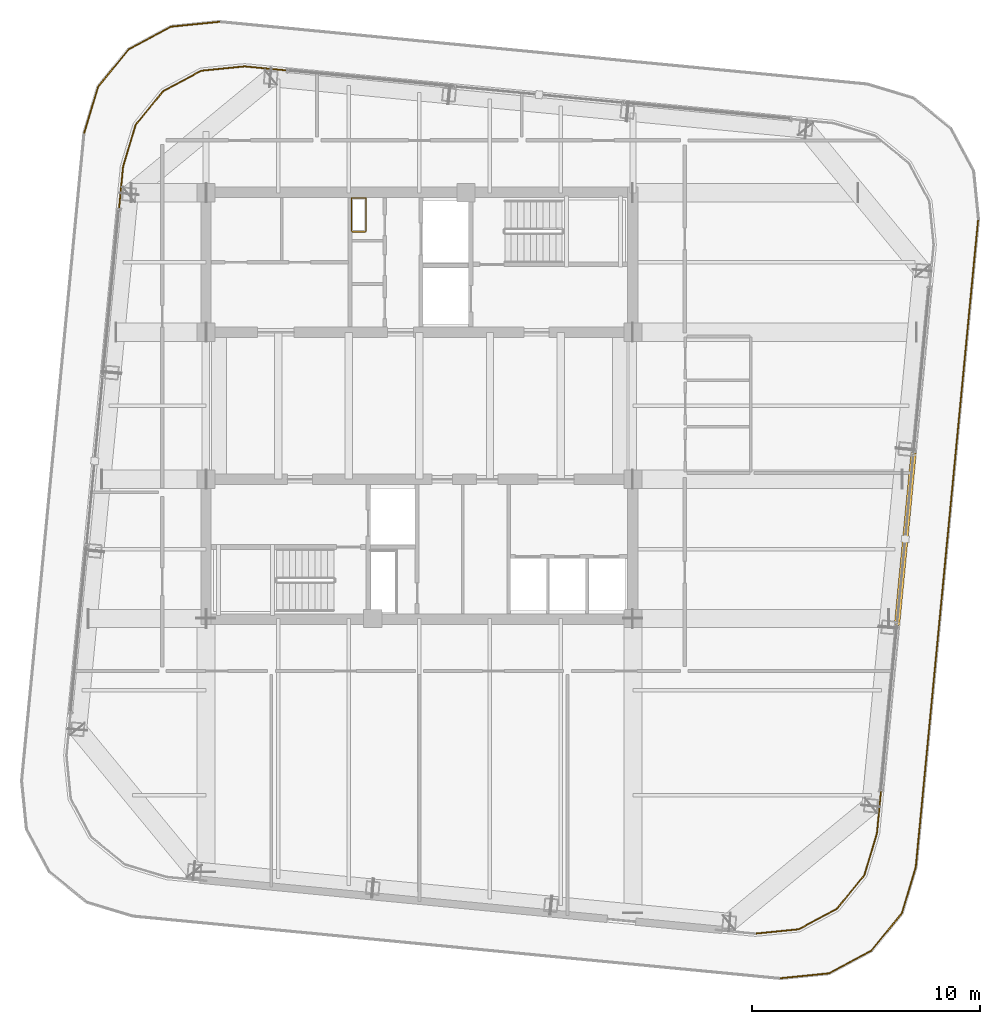
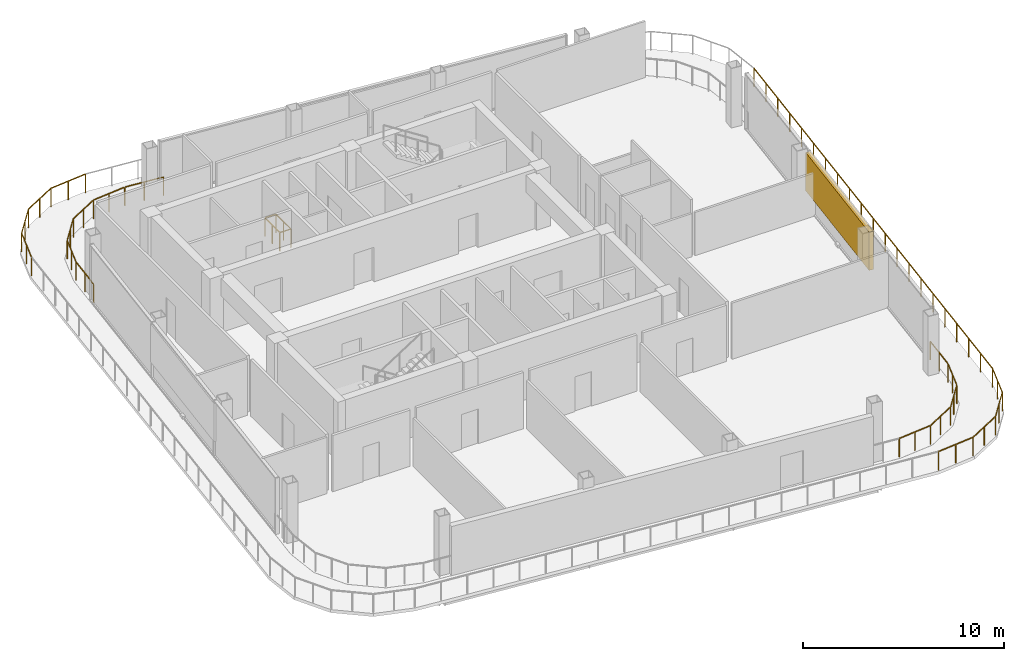
# One storey, part 18 of 20: 12 railings, 1 shading device.
"""IFC4 building model written with IfcOpenShell, lengths in metres."""

from ifc_helpers import new_model, si_unit, direction, frame, origin, origin_2d, place, context, subcontext, project, spatial, rectangle, extrude, material, type_object, element, save


model = new_model("IFC4")

# Units and contexts
model_context = context("Model", 3, precision=1e-05, world=origin(), true_north=direction((0.0, 1.0)))
body_context = subcontext(model_context, "Body", "Model", "MODEL_VIEW")
ifc_project = project(units=[si_unit("LENGTHUNIT", "METRE"), si_unit("AREAUNIT", "SQUARE_METRE"), si_unit("VOLUMEUNIT", "CUBIC_METRE"), si_unit("PLANEANGLEUNIT", "RADIAN"), si_unit("MASSUNIT", "GRAM", prefix="KILO")], contexts=[model_context])

# Site, building, storey
site_placement = place(None, origin())
site = spatial("IfcSite", under=ifc_project, at=site_placement, CompositionType="ELEMENT")
building_placement = place(site_placement, origin())
building = spatial("IfcBuilding", under=site, at=building_placement, Name="Qhalaya Broadcast Tower", CompositionType="ELEMENT")
storey_placement = place(building_placement, frame((0.0, 0.0, 273.35009765625)))
storey = spatial("IfcBuildingStorey", under=building, at=storey_placement, Name="L81", CompositionType="ELEMENT", Elevation=273.35009765625)

# Railings
ifc_material_1 = material(Name="Powder-Coated Galvanised Steel", Category="steel")
railing_type_1 = type_object("IfcRailingType", Name="Stair Well & Landing Guardrail 1100", PredefinedType="GUARDRAIL", material=ifc_material_1)
railing_1_placement = place(storey_placement, frame((-2.340087890625, 8.239990234375, 0.0)))
element("IfcRailing", 1, at=railing_1_placement, inside=storey, type_object=railing_type_1, Name="L81 Service Riser Opening Safety Guard NRSR", PredefinedType="GUARDRAIL", context=body_context, shape_type="SweptSolid", body=[
    extrude(rectangle(XDim=0.048095703125, YDim=0.048095703125, at=origin_2d()), frame((0.0, 0.02880859375, 1.1259765625), z_axis=(0.0, 1.0, 0.0), x_axis=(-1.0, 0.0, 0.0)), (0.0, 0.0, 1.0), 1.42236328125),
    extrude(rectangle(XDim=0.048095703125, YDim=0.048095703125, at=origin_2d()), frame((-0.02880859375, 1.47998046875, 1.1259765625), z_axis=(-1.0, 0.0, 0.0), x_axis=(0.0, -1.0, 0.0)), (0.0, 0.0, 1.0), 0.582275390625),
    extrude(rectangle(XDim=0.048095703125, YDim=0.048095703125, at=origin_2d()), frame((-0.639892578125, 1.451171875, 1.1259765625), z_axis=(0.0, -1.0, 0.0), x_axis=(1.0, 0.0, 0.0)), (0.0, 0.0, 1.0), 1.42236328125),
    extrude(rectangle(XDim=0.048095703125, YDim=0.048095703125, at=origin_2d()), frame((-0.611083984375, 0.0, 1.1259765625), z_axis=(1.0, 0.0, 0.0), x_axis=(0.0, 1.0, 0.0)), (0.0, 0.0, 1.0), 0.582275390625),
    extrude(rectangle(XDim=0.0419921875, YDim=0.0419921875, at=origin_2d()), origin(), (0.0, 0.0, 1.0), 1.099853515625),
    extrude(rectangle(XDim=0.0419921875, YDim=0.0419921875, at=origin_2d()), frame((0.0, 0.739990234375, 0.0)), (0.0, 0.0, 1.0), 1.099853515625),
    extrude(rectangle(XDim=0.0419921875, YDim=0.0419921875, at=origin_2d()), frame((0.0, 1.47998046875, 0.0)), (0.0, 0.0, 1.0), 1.099853515625),
    extrude(rectangle(XDim=0.0419921875, YDim=0.0419921875, at=origin_2d()), frame((-0.639892578125, 1.47998046875, 0.0)), (0.0, 0.0, 1.0), 1.099853515625),
    extrude(rectangle(XDim=0.0419921875, YDim=0.0419921875, at=origin_2d()), frame((-0.639892578125, 0.739990234375, 0.0)), (0.0, 0.0, 1.0), 1.099853515625),
    extrude(rectangle(XDim=0.0419921875, YDim=0.0419921875, at=origin_2d()), frame((-0.639892578125, 0.0, 0.0)), (0.0, 0.0, 1.0), 1.099853515625),
])
railing_type_2 = type_object("IfcRailingType", Name="Terrace, Sky-Pool & Lookout Glass Balustrade 1150", PredefinedType="BALUSTRADE", material=ifc_material_1)
railing_2_placement = place(storey_placement, frame((-14.719482421875, 12.576416015625, 0.0)))
element("IfcRailing", 2, at=railing_2_placement, inside=storey, type_object=railing_type_2, Name="L81 Perimeter Safety Balustrade BAL-TER1-07", PredefinedType="BALUSTRADE", context=body_context, shape_type="SweptSolid", body=[
    extrude(rectangle(XDim=0.048095703125, YDim=0.048095703125, at=origin_2d()), frame((0.0, 0.0, 1.1259765625), z_axis=(0.288170989429, 0.957578968467, 0.0), x_axis=(-0.957578968467, 0.288170989429, 0.0)), (0.0, 0.0, 1.0), 2.122314453125),
    extrude(rectangle(XDim=0.0419921875, YDim=0.0419921875, at=origin_2d()), origin(), (0.0, 0.0, 1.0), 1.099853515625),
    extrude(rectangle(XDim=0.0419921875, YDim=0.0419921875, at=origin_2d()), frame((0.3056640625, 1.01611328125, 0.0)), (0.0, 0.0, 1.0), 1.099853515625),
    extrude(rectangle(XDim=0.0419921875, YDim=0.0419921875, at=origin_2d()), frame((0.611572265625, 2.0322265625, 0.0)), (0.0, 0.0, 1.0), 1.099853515625),
])
railing_3_placement = place(storey_placement, frame((-14.10791015625, 14.608642578125, 0.0)))
element("IfcRailing", 3, at=railing_3_placement, inside=storey, type_object=railing_type_2, Name="L81 Perimeter Safety Balustrade BAL-TER1-08", PredefinedType="BALUSTRADE", context=body_context, shape_type="SweptSolid", body=[
    extrude(rectangle(XDim=0.048095703125, YDim=0.048095703125, at=origin_2d()), frame((0.0, 0.0, 1.1259765625), z_axis=(0.63277236839, 0.774337865406, 0.0), x_axis=(-0.774337865406, 0.63277236839, 0.0)), (0.0, 0.0, 1.0), 2.1142578125),
    extrude(rectangle(XDim=0.0419921875, YDim=0.0419921875, at=origin_2d()), origin(), (0.0, 0.0, 1.0), 1.099853515625),
    extrude(rectangle(XDim=0.0419921875, YDim=0.0419921875, at=origin_2d()), frame((0.6689453125, 0.818603515625, 0.0)), (0.0, 0.0, 1.0), 1.099853515625),
    extrude(rectangle(XDim=0.0419921875, YDim=0.0419921875, at=origin_2d()), frame((1.337890625, 1.63720703125, 0.0)), (0.0, 0.0, 1.0), 1.099853515625),
])
railing_4_placement = place(storey_placement, frame((-12.77001953125, 16.245849609375, 0.0)))
element("IfcRailing", 4, at=railing_4_placement, inside=storey, type_object=railing_type_2, Name="L81 Perimeter Safety Balustrade BAL-TER1-09", PredefinedType="BALUSTRADE", context=body_context, shape_type="SweptSolid", body=[
    extrude(rectangle(XDim=0.048095703125, YDim=0.048095703125, at=origin_2d()), frame((0.0, 0.0, 1.1259765625), z_axis=(0.880923105404, 0.473259423957, 0.0), x_axis=(-0.473259423957, 0.880923105404, 0.0)), (0.0, 0.0, 1.0), 2.114013671875),
    extrude(rectangle(XDim=0.0419921875, YDim=0.0419921875, at=origin_2d()), origin(), (0.0, 0.0, 1.0), 1.099853515625),
    extrude(rectangle(XDim=0.0419921875, YDim=0.0419921875, at=origin_2d()), frame((0.93115234375, 0.500244140625, 0.0)), (0.0, 0.0, 1.0), 1.099853515625),
    extrude(rectangle(XDim=0.0419921875, YDim=0.0419921875, at=origin_2d()), frame((1.8623046875, 1.00048828125, 0.0)), (0.0, 0.0, 1.0), 1.099853515625),
])
railing_5_placement = place(storey_placement, frame((-10.90771484375, 17.246337890625, 0.0)))
element("IfcRailing", 5, at=railing_5_placement, inside=storey, type_object=railing_type_2, Name="L81 Perimeter Safety Balustrade BAL-TER1-10", PredefinedType="BALUSTRADE", context=body_context, shape_type="SweptSolid", body=[
    extrude(rectangle(XDim=0.048095703125, YDim=0.048095703125, at=origin_2d()), frame((0.0, 0.0, 1.1259765625), z_axis=(0.99496746898, 0.100198481383, 0.0), x_axis=(-0.100198481383, 0.99496746898, 0.0)), (0.0, 0.0, 1.0), 2.122314453125),
    extrude(rectangle(XDim=0.0419921875, YDim=0.0419921875, at=origin_2d()), origin(), (0.0, 0.0, 1.0), 1.099853515625),
    extrude(rectangle(XDim=0.0419921875, YDim=0.0419921875, at=origin_2d()), frame((1.0556640625, 0.1064453125, 0.0)), (0.0, 0.0, 1.0), 1.099853515625),
    extrude(rectangle(XDim=0.0419921875, YDim=0.0419921875, at=origin_2d()), frame((2.111572265625, 0.212646484375, 0.0)), (0.0, 0.0, 1.0), 1.099853515625),
])
railing_6_placement = place(storey_placement, frame((24.5390625, 8.796142578125, 0.0)))
element("IfcRailing", 6, at=railing_6_placement, inside=storey, type_object=railing_type_2, Name="L81 Perimeter Safety Balustrade BAL-TER1-16", PredefinedType="BALUSTRADE", context=body_context, shape_type="SweptSolid", body=[
    extrude(rectangle(XDim=0.048095703125, YDim=0.048095703125, at=origin_2d()), frame((0.0, 0.0, 1.1259765625), z_axis=(-0.095848136823, -0.995395968782, 0.0), x_axis=(0.995395968782, -0.095848136823, 0.0)), (0.0, 0.0, 1.0), 28.584228515625),
    extrude(rectangle(XDim=0.0419921875, YDim=0.0419921875, at=origin_2d()), origin(), (0.0, 0.0, 1.0), 1.099853515625),
    extrude(rectangle(XDim=0.0419921875, YDim=0.0419921875, at=origin_2d()), frame((-0.136962890625, -1.422607421875, 0.0)), (0.0, 0.0, 1.0), 1.099853515625),
    extrude(rectangle(XDim=0.0419921875, YDim=0.0419921875, at=origin_2d()), frame((-0.27392578125, -2.84521484375, 0.0)), (0.0, 0.0, 1.0), 1.099853515625),
    extrude(rectangle(XDim=0.0419921875, YDim=0.0419921875, at=origin_2d()), frame((-0.410888671875, -4.267822265625, 0.0)), (0.0, 0.0, 1.0), 1.099853515625),
    extrude(rectangle(XDim=0.0419921875, YDim=0.0419921875, at=origin_2d()), frame((-0.5478515625, -5.6904296875, 0.0)), (0.0, 0.0, 1.0), 1.099853515625),
    extrude(rectangle(XDim=0.0419921875, YDim=0.0419921875, at=origin_2d()), frame((-0.68505859375, -7.11328125, 0.0)), (0.0, 0.0, 1.0), 1.099853515625),
    extrude(rectangle(XDim=0.0419921875, YDim=0.0419921875, at=origin_2d()), frame((-0.822021484375, -8.535888671875, 0.0)), (0.0, 0.0, 1.0), 1.099853515625),
    extrude(rectangle(XDim=0.0419921875, YDim=0.0419921875, at=origin_2d()), frame((-0.958984375, -9.95849609375, 0.0)), (0.0, 0.0, 1.0), 1.099853515625),
    extrude(rectangle(XDim=0.0419921875, YDim=0.0419921875, at=origin_2d()), frame((-1.095947265625, -11.381103515625, 0.0)), (0.0, 0.0, 1.0), 1.099853515625),
    extrude(rectangle(XDim=0.0419921875, YDim=0.0419921875, at=origin_2d()), frame((-1.23291015625, -12.8037109375, 0.0)), (0.0, 0.0, 1.0), 1.099853515625),
    extrude(rectangle(XDim=0.0419921875, YDim=0.0419921875, at=origin_2d()), frame((-1.369873046875, -14.226318359375, 0.0)), (0.0, 0.0, 1.0), 1.099853515625),
    extrude(rectangle(XDim=0.0419921875, YDim=0.0419921875, at=origin_2d()), frame((-1.5068359375, -15.64892578125, 0.0)), (0.0, 0.0, 1.0), 1.099853515625),
    extrude(rectangle(XDim=0.0419921875, YDim=0.0419921875, at=origin_2d()), frame((-1.643798828125, -17.071533203125, 0.0)), (0.0, 0.0, 1.0), 1.099853515625),
    extrude(rectangle(XDim=0.0419921875, YDim=0.0419921875, at=origin_2d()), frame((-1.78076171875, -18.494140625, 0.0)), (0.0, 0.0, 1.0), 1.099853515625),
    extrude(rectangle(XDim=0.0419921875, YDim=0.0419921875, at=origin_2d()), frame((-1.917724609375, -19.916748046875, 0.0)), (0.0, 0.0, 1.0), 1.099853515625),
    extrude(rectangle(XDim=0.0419921875, YDim=0.0419921875, at=origin_2d()), frame((-2.0546875, -21.33935546875, 0.0)), (0.0, 0.0, 1.0), 1.099853515625),
    extrude(rectangle(XDim=0.0419921875, YDim=0.0419921875, at=origin_2d()), frame((-2.19189453125, -22.76220703125, 0.0)), (0.0, 0.0, 1.0), 1.099853515625),
    extrude(rectangle(XDim=0.0419921875, YDim=0.0419921875, at=origin_2d()), frame((-2.328857421875, -24.184814453125, 0.0)), (0.0, 0.0, 1.0), 1.099853515625),
    extrude(rectangle(XDim=0.0419921875, YDim=0.0419921875, at=origin_2d()), frame((-2.4658203125, -25.607421875, 0.0)), (0.0, 0.0, 1.0), 1.099853515625),
    extrude(rectangle(XDim=0.0419921875, YDim=0.0419921875, at=origin_2d()), frame((-2.602783203125, -27.030029296875, 0.0)), (0.0, 0.0, 1.0), 1.099853515625),
    extrude(rectangle(XDim=0.0419921875, YDim=0.0419921875, at=origin_2d()), frame((-2.73974609375, -28.45263671875, 0.0)), (0.0, 0.0, 1.0), 1.099853515625),
])
railing_7_placement = place(storey_placement, frame((21.79931640625, -19.656494140625, 0.0)))
element("IfcRailing", 7, at=railing_7_placement, inside=storey, type_object=railing_type_2, Name="L81 Perimeter Safety Balustrade BAL-TER1-17", PredefinedType="BALUSTRADE", context=body_context, shape_type="SweptSolid", body=[
    extrude(rectangle(XDim=0.048095703125, YDim=0.048095703125, at=origin_2d()), frame((0.0, 0.0, 1.1259765625), z_axis=(-0.288170989429, -0.957578968467, 0.0), x_axis=(0.957578968467, -0.288170989429, 0.0)), (0.0, 0.0, 1.0), 2.122314453125),
    extrude(rectangle(XDim=0.0419921875, YDim=0.0419921875, at=origin_2d()), origin(), (0.0, 0.0, 1.0), 1.099853515625),
    extrude(rectangle(XDim=0.0419921875, YDim=0.0419921875, at=origin_2d()), frame((-0.3056640625, -1.01611328125, 0.0)), (0.0, 0.0, 1.0), 1.099853515625),
    extrude(rectangle(XDim=0.0419921875, YDim=0.0419921875, at=origin_2d()), frame((-0.611572265625, -2.0322265625, 0.0)), (0.0, 0.0, 1.0), 1.099853515625),
])
railing_8_placement = place(storey_placement, frame((21.187744140625, -21.688720703125, 0.0)))
element("IfcRailing", 8, at=railing_8_placement, inside=storey, type_object=railing_type_2, Name="L81 Perimeter Safety Balustrade BAL-TER1-18", PredefinedType="BALUSTRADE", context=body_context, shape_type="SweptSolid", body=[
    extrude(rectangle(XDim=0.048095703125, YDim=0.048095703125, at=origin_2d()), frame((0.0, 0.0, 1.1259765625), z_axis=(-0.632759708547, -0.774348210587, 0.0), x_axis=(0.774348210587, -0.632759708547, 0.0)), (0.0, 0.0, 1.0), 2.114013671875),
    extrude(rectangle(XDim=0.0419921875, YDim=0.0419921875, at=origin_2d()), origin(), (0.0, 0.0, 1.0), 1.099853515625),
    extrude(rectangle(XDim=0.0419921875, YDim=0.0419921875, at=origin_2d()), frame((-0.6689453125, -0.818359375, 0.0)), (0.0, 0.0, 1.0), 1.099853515625),
    extrude(rectangle(XDim=0.0419921875, YDim=0.0419921875, at=origin_2d()), frame((-1.337646484375, -1.636962890625, 0.0)), (0.0, 0.0, 1.0), 1.099853515625),
])
railing_9_placement = place(storey_placement, frame((19.85009765625, -23.32568359375, 0.0)))
element("IfcRailing", 9, at=railing_9_placement, inside=storey, type_object=railing_type_2, Name="L81 Perimeter Safety Balustrade BAL-TER1-19", PredefinedType="BALUSTRADE", context=body_context, shape_type="SweptSolid", body=[
    extrude(rectangle(XDim=0.048095703125, YDim=0.048095703125, at=origin_2d()), frame((0.0, 0.0, 1.1259765625), z_axis=(-0.880874956993, -0.473349036276, 0.0), x_axis=(0.473349036276, -0.880874956993, 0.0)), (0.0, 0.0, 1.0), 2.1142578125),
    extrude(rectangle(XDim=0.0419921875, YDim=0.0419921875, at=origin_2d()), origin(), (0.0, 0.0, 1.0), 1.099853515625),
    extrude(rectangle(XDim=0.0419921875, YDim=0.0419921875, at=origin_2d()), frame((-0.93115234375, -0.50048828125, 0.0)), (0.0, 0.0, 1.0), 1.099853515625),
    extrude(rectangle(XDim=0.0419921875, YDim=0.0419921875, at=origin_2d()), frame((-1.8623046875, -1.000732421875, 0.0)), (0.0, 0.0, 1.0), 1.099853515625),
])
railing_10_placement = place(storey_placement, frame((17.98779296875, -24.326416015625, 0.0)))
element("IfcRailing", 10, at=railing_10_placement, inside=storey, type_object=railing_type_2, Name="L81 Perimeter Safety Balustrade BAL-TER1-20", PredefinedType="BALUSTRADE", context=body_context, shape_type="SweptSolid", body=[
    extrude(rectangle(XDim=0.048095703125, YDim=0.048095703125, at=origin_2d()), frame((0.0, 0.0, 1.1259765625), z_axis=(-0.99496746898, -0.100198481383, 0.0), x_axis=(0.100198481383, -0.99496746898, 0.0)), (0.0, 0.0, 1.0), 2.122314453125),
    extrude(rectangle(XDim=0.0419921875, YDim=0.0419921875, at=origin_2d()), origin(), (0.0, 0.0, 1.0), 1.099853515625),
    extrude(rectangle(XDim=0.0419921875, YDim=0.0419921875, at=origin_2d()), frame((-1.0556640625, -0.1064453125, 0.0)), (0.0, 0.0, 1.0), 1.099853515625),
    extrude(rectangle(XDim=0.0419921875, YDim=0.0419921875, at=origin_2d()), frame((-2.111572265625, -0.212646484375, 0.0)), (0.0, 0.0, 1.0), 1.099853515625),
])
railing_11_placement = place(storey_placement, frame((-13.2158203125, 8.99365234375, 0.0)))
element("IfcRailing", 11, at=railing_11_placement, inside=storey, type_object=railing_type_2, Name="L81 Rounded Corner Perimeter Guard 03", PredefinedType="BALUSTRADE", context=body_context, shape_type="SweptSolid", body=[
    extrude(rectangle(XDim=0.048095703125, YDim=0.048095703125, at=origin_2d()), frame((0.0, 0.0, 1.1259765625), z_axis=(0.095896889673, 0.995391273094, 0.0), x_axis=(-0.995391273094, 0.095896889673, 0.0)), (0.0, 0.0, 1.0), 2.08935546875),
    extrude(rectangle(XDim=0.048095703125, YDim=0.048095703125, at=origin_2d()), frame((0.21142578125, 2.135986328125, 1.1259765625), z_axis=(0.288096282124, 0.957601447485, 0.0), x_axis=(-0.957601447485, 0.288096282124, 0.0)), (0.0, 0.0, 1.0), 1.857421875),
    extrude(rectangle(XDim=0.048095703125, YDim=0.048095703125, at=origin_2d()), frame((0.773193359375, 3.96484375, 1.1259765625), z_axis=(0.63274871945, 0.774357190213, 0.0), x_axis=(-0.774357190213, 0.63274871945, 0.0)), (0.0, 0.0, 1.0), 1.845703125),
    extrude(rectangle(XDim=0.048095703125, YDim=0.048095703125, at=origin_2d()), frame((1.984619140625, 5.429931640625, 1.1259765625), z_axis=(0.880878554058, 0.473342342286, 0.0), x_axis=(-0.473342342286, 0.880878554058, 0.0)), (0.0, 0.0, 1.0), 1.845458984375),
    extrude(rectangle(XDim=0.048095703125, YDim=0.048095703125, at=origin_2d()), frame((3.66455078125, 6.320068359375, 1.1259765625), z_axis=(0.994980230152, 0.100071682341, 0.0), x_axis=(-0.100071682341, 0.994980230152, 0.0)), (0.0, 0.0, 1.0), 1.857421875),
    extrude(rectangle(XDim=0.048095703125, YDim=0.048095703125, at=origin_2d()), frame((5.570068359375, 6.506103515625, 1.1259765625), z_axis=(0.995402268864, -0.095782687057, 0.0), x_axis=(0.095782687057, 0.995402268864, 0.0)), (0.0, 0.0, 1.0), 2.08935546875),
    extrude(rectangle(XDim=0.0419921875, YDim=0.0419921875, at=origin_2d()), origin(), (0.0, 0.0, 1.0), 1.099853515625),
    extrude(rectangle(XDim=0.0419921875, YDim=0.0419921875, at=origin_2d()), frame((0.1015625, 1.05419921875, 0.0)), (0.0, 0.0, 1.0), 1.099853515625),
    extrude(rectangle(XDim=0.0419921875, YDim=0.0419921875, at=origin_2d()), frame((0.203125, 2.1083984375, 0.0)), (0.0, 0.0, 1.0), 1.099853515625),
    extrude(rectangle(XDim=0.0419921875, YDim=0.0419921875, at=origin_2d()), frame((0.47900390625, 3.025390625, 0.0)), (0.0, 0.0, 1.0), 1.099853515625),
    extrude(rectangle(XDim=0.0419921875, YDim=0.0419921875, at=origin_2d()), frame((0.7548828125, 3.9423828125, 0.0)), (0.0, 0.0, 1.0), 1.099853515625),
    extrude(rectangle(XDim=0.0419921875, YDim=0.0419921875, at=origin_2d()), frame((1.35693359375, 4.67919921875, 0.0)), (0.0, 0.0, 1.0), 1.099853515625),
    extrude(rectangle(XDim=0.0419921875, YDim=0.0419921875, at=origin_2d()), frame((1.959228515625, 5.416259765625, 0.0)), (0.0, 0.0, 1.0), 1.099853515625),
    extrude(rectangle(XDim=0.0419921875, YDim=0.0419921875, at=origin_2d()), frame((2.79736328125, 5.86669921875, 0.0)), (0.0, 0.0, 1.0), 1.099853515625),
    extrude(rectangle(XDim=0.0419921875, YDim=0.0419921875, at=origin_2d()), frame((3.6357421875, 6.317138671875, 0.0)), (0.0, 0.0, 1.0), 1.099853515625),
    extrude(rectangle(XDim=0.0419921875, YDim=0.0419921875, at=origin_2d()), frame((4.58837890625, 6.4130859375, 0.0)), (0.0, 0.0, 1.0), 1.099853515625),
    extrude(rectangle(XDim=0.0419921875, YDim=0.0419921875, at=origin_2d()), frame((5.541259765625, 6.5087890625, 0.0)), (0.0, 0.0, 1.0), 1.099853515625),
    extrude(rectangle(XDim=0.0419921875, YDim=0.0419921875, at=origin_2d()), frame((6.595458984375, 6.4072265625, 0.0)), (0.0, 0.0, 1.0), 1.099853515625),
    extrude(rectangle(XDim=0.0419921875, YDim=0.0419921875, at=origin_2d()), frame((7.649658203125, 6.305908203125, 0.0)), (0.0, 0.0, 1.0), 1.099853515625),
])
railing_12_placement = place(storey_placement, frame((20.2958984375, -16.07373046875, 0.0)))
element("IfcRailing", 12, at=railing_12_placement, inside=storey, type_object=railing_type_2, Name="L81 Rounded Corner Perimeter Guard 05", PredefinedType="BALUSTRADE", context=body_context, shape_type="SweptSolid", body=[
    extrude(rectangle(XDim=0.048095703125, YDim=0.048095703125, at=origin_2d()), frame((0.0, 0.0, 1.1259765625), z_axis=(-0.095896889673, -0.995391273094, 0.0), x_axis=(0.995391273094, -0.095896889673, 0.0)), (0.0, 0.0, 1.0), 2.08935546875),
    extrude(rectangle(XDim=0.048095703125, YDim=0.048095703125, at=origin_2d()), frame((-0.21142578125, -2.135986328125, 1.1259765625), z_axis=(-0.288096282124, -0.957601447485, 0.0), x_axis=(0.957601447485, -0.288096282124, 0.0)), (0.0, 0.0, 1.0), 1.857421875),
    extrude(rectangle(XDim=0.048095703125, YDim=0.048095703125, at=origin_2d()), frame((-0.773193359375, -3.96484375, 1.1259765625), z_axis=(-0.63274871945, -0.774357190213, 0.0), x_axis=(0.774357190213, -0.63274871945, 0.0)), (0.0, 0.0, 1.0), 1.845703125),
    extrude(rectangle(XDim=0.048095703125, YDim=0.048095703125, at=origin_2d()), frame((-1.984619140625, -5.429931640625, 1.1259765625), z_axis=(-0.880932037714, -0.473242797018, 0.0), x_axis=(0.473242797018, -0.880932037714, 0.0)), (0.0, 0.0, 1.0), 1.845458984375),
    extrude(rectangle(XDim=0.048095703125, YDim=0.048095703125, at=origin_2d()), frame((-3.66455078125, -6.31982421875, 1.1259765625), z_axis=(-0.994967529225, -0.100197883148, 0.0), x_axis=(0.100197883148, -0.994967529225, 0.0)), (0.0, 0.0, 1.0), 1.88623046875),
    extrude(rectangle(XDim=0.0419921875, YDim=0.0419921875, at=origin_2d()), origin(), (0.0, 0.0, 1.0), 1.099853515625),
    extrude(rectangle(XDim=0.0419921875, YDim=0.0419921875, at=origin_2d()), frame((-0.1015625, -1.05419921875, 0.0)), (0.0, 0.0, 1.0), 1.099853515625),
    extrude(rectangle(XDim=0.0419921875, YDim=0.0419921875, at=origin_2d()), frame((-0.203125, -2.1083984375, 0.0)), (0.0, 0.0, 1.0), 1.099853515625),
    extrude(rectangle(XDim=0.0419921875, YDim=0.0419921875, at=origin_2d()), frame((-0.47900390625, -3.025390625, 0.0)), (0.0, 0.0, 1.0), 1.099853515625),
    extrude(rectangle(XDim=0.0419921875, YDim=0.0419921875, at=origin_2d()), frame((-0.7548828125, -3.9423828125, 0.0)), (0.0, 0.0, 1.0), 1.099853515625),
    extrude(rectangle(XDim=0.0419921875, YDim=0.0419921875, at=origin_2d()), frame((-1.35693359375, -4.67919921875, 0.0)), (0.0, 0.0, 1.0), 1.099853515625),
    extrude(rectangle(XDim=0.0419921875, YDim=0.0419921875, at=origin_2d()), frame((-1.959228515625, -5.416259765625, 0.0)), (0.0, 0.0, 1.0), 1.099853515625),
    extrude(rectangle(XDim=0.0419921875, YDim=0.0419921875, at=origin_2d()), frame((-2.79736328125, -5.86669921875, 0.0)), (0.0, 0.0, 1.0), 1.099853515625),
    extrude(rectangle(XDim=0.0419921875, YDim=0.0419921875, at=origin_2d()), frame((-3.6357421875, -6.31689453125, 0.0)), (0.0, 0.0, 1.0), 1.099853515625),
    extrude(rectangle(XDim=0.0419921875, YDim=0.0419921875, at=origin_2d()), frame((-4.58837890625, -6.412841796875, 0.0)), (0.0, 0.0, 1.0), 1.099853515625),
    extrude(rectangle(XDim=0.0419921875, YDim=0.0419921875, at=origin_2d()), frame((-5.541259765625, -6.5087890625, 0.0)), (0.0, 0.0, 1.0), 1.099853515625),
])

# Shading device
ifc_material_2 = material(Name="Fired Architectural Terracotta", Category="masonry")
shading_device_type = type_object("IfcShadingDeviceType", Name="Terracotta Baguette Solar Screen Assembly TBS-01", PredefinedType="USERDEFINED", material=ifc_material_2)
shading_device_placement = place(storey_placement, frame((21.337646484375, -5.25390625, 0.95458984375), z_axis=(0.0, 0.0, 1.0), x_axis=(0.09584575252, 0.995396198367, 0.0)))
element("IfcShadingDevice", 13, at=shading_device_placement, inside=storey, type_object=shading_device_type, Name="L81 Fired Terracotta Baguette Screen E", ObjectType="BAGUETTE", PredefinedType="USERDEFINED", context=body_context, shape_type="SweptSolid", body=[
    extrude(rectangle(XDim=7.60009765625, YDim=0.239990234375, at=origin_2d()), origin(), (0.0, 0.0, 1.0), 2.319091796875),
])

save(model, "model.ifc")
